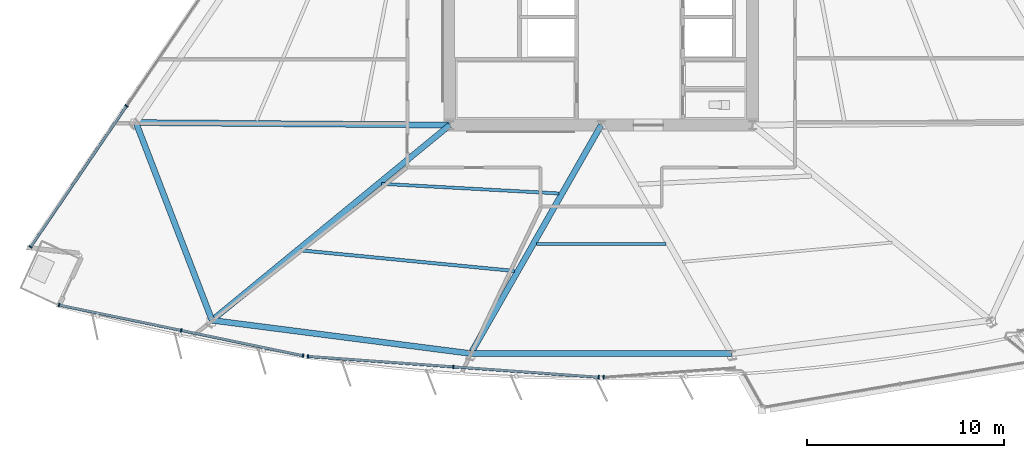
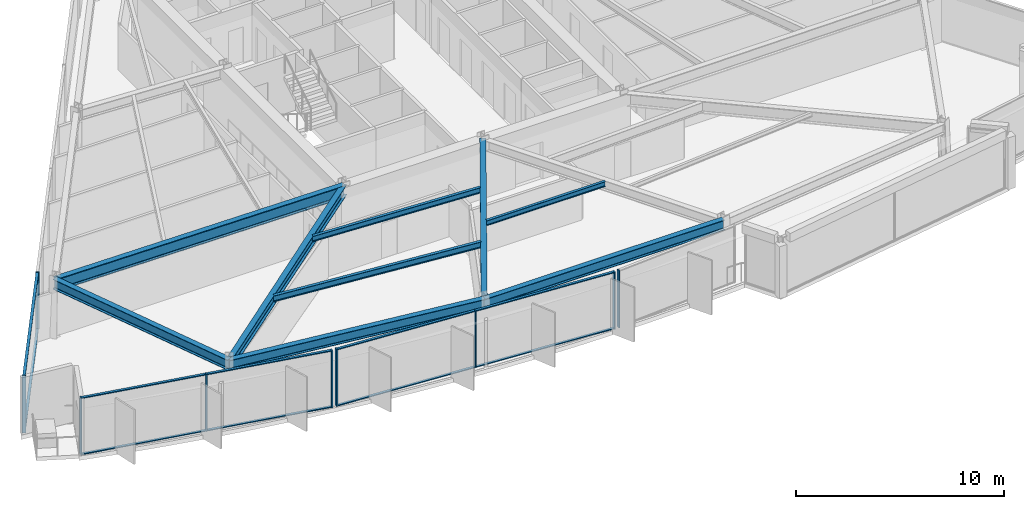
# One storey, part 2 of 16: 19 members, 9 beams, 4 elements without a shape of their own.
"""IFC4 building model written with IfcOpenShell, lengths in metres."""

from ifc_helpers import new_model, si_unit, direction, frame, origin, origin_2d, place, context, subcontext, project, spatial, rectangle, i_section, extrude, material, material_profile, profile_set, type_object, element, aggregate, save


model = new_model("IFC4")

# Units and contexts
model_context = context("Model", 3, precision=1e-05, world=origin(), true_north=direction((0.0, 1.0)))
body_context = subcontext(model_context, "Body", "Model", "MODEL_VIEW")
ifc_project = project(units=[si_unit("LENGTHUNIT", "METRE"), si_unit("AREAUNIT", "SQUARE_METRE"), si_unit("VOLUMEUNIT", "CUBIC_METRE"), si_unit("PLANEANGLEUNIT", "RADIAN"), si_unit("MASSUNIT", "GRAM", prefix="KILO")], contexts=[model_context])

# Site, building, storey
site_placement = place(None, origin())
site = spatial("IfcSite", under=ifc_project, at=site_placement, CompositionType="ELEMENT")
building_placement = place(site_placement, origin())
building = spatial("IfcBuilding", under=site, at=building_placement, Name="Savorim Split Tower", CompositionType="ELEMENT")
storey_placement = place(building_placement, frame((0.0, 0.0, 51.60009765625)))
storey = spatial("IfcBuildingStorey", under=building, at=storey_placement, Name="L13", CompositionType="ELEMENT", Elevation=51.60009765625)

# Beams
ifc_material_1 = material(Name="Steel S355", Category="steel")
ifc_material_profile_1 = material_profile(ifc_material_1, i_section(OverallWidth=0.14990234375, OverallDepth=0.300048828125, WebThickness=0.007080078125, FlangeThickness=0.0107421875, FilletRadius=0.014892578125, at=origin_2d()), Name="IPE 300")
ifc_profile_set_1 = profile_set([ifc_material_profile_1], Name="Steel S355")
beam_type_1 = type_object("IfcBeamType", Name="BM-JST-IPE300", PredefinedType="JOIST", material=ifc_profile_set_1)
beam_1_placement = place(storey_placement, frame((-3.2890625, -15.43994140625, 3.199951171875), z_axis=(1.0, 0.0, 0.0), x_axis=(0.0, 1.0, 0.0)))
element("IfcBeam", 1, at=beam_1_placement, inside=storey, type_object=beam_type_1, Name="L13 Secondary Floor Joist JS-03", PredefinedType="JOIST", context=body_context, shape_type="SweptSolid", body=[
    extrude(i_section(OverallWidth=0.14990234375, OverallDepth=0.300048828125, WebThickness=0.007080078125, FlangeThickness=0.0107421875, FilletRadius=0.014892578125, at=origin_2d()), origin(), (0.0, 0.0, 1.0), 6.578125),
])
ifc_material_profile_2 = material_profile(ifc_material_1, i_section(OverallWidth=0.159912109375, OverallDepth=0.330078125, WebThickness=0.007568359375, FlangeThickness=0.011474609375, FilletRadius=0.01806640625, at=origin_2d()), Name="IPE 330")
ifc_profile_set_2 = profile_set([ifc_material_profile_2], Name="Steel S355")
beam_type_2 = type_object("IfcBeamType", Name="BM-JST-IPE330", PredefinedType="JOIST", material=ifc_profile_set_2)
beam_2_placement = place(storey_placement, frame((-11.1669921875, -12.386474609375, 3.184814453125), z_axis=(0.998531304913, -0.054177791662, 0.0), x_axis=(0.054177791662, 0.998531304913, 0.0)))
element("IfcBeam", 2, at=beam_2_placement, inside=storey, type_object=beam_type_2, Name="L13 Secondary Floor Joist JS-02", PredefinedType="JOIST", context=body_context, shape_type="SweptSolid", body=[
    extrude(i_section(OverallWidth=0.159912109375, OverallDepth=0.330078125, WebThickness=0.007568359375, FlangeThickness=0.011474609375, FilletRadius=0.01806640625, at=origin_2d()), origin(), (0.0, 0.0, 1.0), 9.030517578125),
])
ifc_material_profile_3 = material_profile(ifc_material_1, i_section(OverallWidth=0.169921875, OverallDepth=0.360107421875, WebThickness=0.008056640625, FlangeThickness=0.0126953125, FilletRadius=0.01806640625, at=origin_2d()), Name="IPE 360")
ifc_profile_set_3 = profile_set([ifc_material_profile_3], Name="Steel S355")
beam_type_3 = type_object("IfcBeamType", Name="BM-JST-IPE360", PredefinedType="JOIST", material=ifc_profile_set_3)
beam_3_placement = place(storey_placement, frame((-15.278076171875, -15.76806640625, 3.169921875), z_axis=(0.99536762204, -0.096142066728, 0.0), x_axis=(0.096142066728, 0.99536762204, 0.0)))
element("IfcBeam", 3, at=beam_3_placement, inside=storey, type_object=beam_type_3, Name="L13 Secondary Floor Joist JS-01", PredefinedType="JOIST", context=body_context, shape_type="SweptSolid", body=[
    extrude(i_section(OverallWidth=0.169921875, OverallDepth=0.360107421875, WebThickness=0.008056640625, FlangeThickness=0.0126953125, FilletRadius=0.01806640625, at=origin_2d()), origin(), (0.0, 0.0, 1.0), 10.92431640625),
])
ifc_material_profile_4 = material_profile(ifc_material_1, i_section(OverallWidth=0.300048828125, OverallDepth=0.60009765625, WebThickness=0.015380859375, FlangeThickness=0.030029296875, FilletRadius=0.027099609375, at=origin_2d()), Name="HEB 600")
ifc_profile_set_4 = profile_set([ifc_material_profile_4], Name="Steel S355")
beam_type_4 = type_object("IfcBeamType", Name="BM-PRI-HEB600", PredefinedType="BEAM", material=ifc_profile_set_4)
beam_4_placement = place(storey_placement, frame((-19.789794921875, -19.325927734375, 3.0498046875), z_axis=(0.772880428001, 0.634551687424, 0.0), x_axis=(-0.634551687424, 0.772880428001, 0.0)))
element("IfcBeam", 4, at=beam_4_placement, inside=storey, type_object=beam_type_4, Name="L13 Primary Floor Girder RG-01", PredefinedType="BEAM", context=body_context, shape_type="SweptSolid", body=[
    extrude(i_section(OverallWidth=0.300048828125, OverallDepth=0.60009765625, WebThickness=0.015380859375, FlangeThickness=0.030029296875, FilletRadius=0.027099609375, at=origin_2d()), origin(), (0.0, 0.0, 1.0), 15.642578125),
])
beam_5_placement = place(storey_placement, frame((-6.632568359375, -21.01513671875, 3.0498046875), z_axis=(0.495873547697, 0.868394740135, 0.0), x_axis=(-0.868394740135, 0.495873547697, 0.0)))
element("IfcBeam", 5, at=beam_5_placement, inside=storey, type_object=beam_type_4, Name="L13 Primary Floor Girder RG-02", PredefinedType="BEAM", context=body_context, shape_type="SweptSolid", body=[
    extrude(i_section(OverallWidth=0.300048828125, OverallDepth=0.60009765625, WebThickness=0.015380859375, FlangeThickness=0.030029296875, FilletRadius=0.027099609375, at=origin_2d()), origin(), (0.0, 0.0, 1.0), 13.37548828125),
])
ifc_material_2 = material(Name="Steel S460", Category="steel")
ifc_material_profile_5 = material_profile(ifc_material_2, i_section(OverallWidth=0.303955078125, OverallDepth=0.716064453125, WebThickness=0.02099609375, FlangeThickness=0.0400390625, FilletRadius=0.027099609375, at=origin_2d()), Name="HE 700 M")
ifc_profile_set_5 = profile_set([ifc_material_profile_5], Name="Steel S460")
beam_type_5 = type_object("IfcBeamType", Name="BM-PRI-HEM700", PredefinedType="BEAM", material=ifc_profile_set_5)
beam_6_placement = place(storey_placement, frame((-23.656982421875, -9.271240234375, 2.991943359375), z_axis=(0.999967495314, -0.008062773409, 0.0), x_axis=(0.008062773409, 0.999967495314, 0.0)))
element("IfcBeam", 6, at=beam_6_placement, inside=storey, type_object=beam_type_5, Name="L13 Primary Floor Girder RG-10", PredefinedType="BEAM", context=body_context, shape_type="SweptSolid", body=[
    extrude(i_section(OverallWidth=0.303955078125, OverallDepth=0.716064453125, WebThickness=0.02099609375, FlangeThickness=0.0400390625, FilletRadius=0.027099609375, at=origin_2d()), origin(), (0.0, 0.0, 1.0), 15.95751953125),
])
ifc_material_profile_6 = material_profile(ifc_material_1, i_section(OverallWidth=0.300048828125, OverallDepth=0.590087890625, WebThickness=0.012939453125, FlangeThickness=0.02490234375, FilletRadius=0.027099609375, at=origin_2d()), Name="HEA 600")
ifc_profile_set_6 = profile_set([ifc_material_profile_6], Name="Steel S355")
beam_type_6 = type_object("IfcBeamType", Name="BM-SPN-HEA600", PredefinedType="SPANDREL", material=ifc_profile_set_6)
for number, where, z_axis, x_axis, name in (
    (7, (-19.789794921875, -19.325927734375, 3.054931640625), (0.99185897058, -0.127341204955, 0.0), (0.127341204955, 0.99185897058, 0.0), "L13 Perimeter Spandrel Beam 1"),
    (8, (-6.632568359375, -21.01513671875, 3.054931640625), (1.0, 0.0, 0.0), (0.0, 1.0, 0.0), "L13 Perimeter Spandrel Beam 2"),
):
    element("IfcBeam", number, at=place(storey_placement, frame(where, z_axis=z_axis, x_axis=x_axis)), inside=storey, type_object=beam_type_6, Name=name, PredefinedType="SPANDREL", context=body_context, shape_type="SweptSolid", body=[
        extrude(i_section(OverallWidth=0.300048828125, OverallDepth=0.590087890625, WebThickness=0.012939453125, FlangeThickness=0.02490234375, FilletRadius=0.027099609375, at=origin_2d()), origin(), (0.0, 0.0, 1.0), 13.26513671875),
    ])
beam_7_placement = place(storey_placement, frame((-23.656982421875, -9.271240234375, 3.054931640625), z_axis=(0.358979079309, -0.933345606203, 0.0), x_axis=(0.933345606203, 0.358979079309, 0.0)))
element("IfcBeam", 9, at=beam_7_placement, inside=storey, type_object=beam_type_6, Name="L13 Perimeter Spandrel Beam 10", PredefinedType="SPANDREL", context=body_context, shape_type="SweptSolid", body=[
    extrude(i_section(OverallWidth=0.300048828125, OverallDepth=0.590087890625, WebThickness=0.012939453125, FlangeThickness=0.02490234375, FilletRadius=0.027099609375, at=origin_2d()), origin(), (0.0, 0.0, 1.0), 10.772705078125),
])

# Curtain wall, members
ifc_material_3 = material(Name="Dark Ceramic-Fritted Insulated Glass", Category="glass")
curtain_wall_type = type_object("IfcCurtainWallType", Name="CW-TWR-FRIT-A", PredefinedType="NOTDEFINED", material=ifc_material_3)
curtain_wall_1_placement = place(storey_placement, origin())
curtain_wall_1 = element("IfcCurtainWall", 10, at=curtain_wall_1_placement, inside=storey, type_object=curtain_wall_type, Name="L13 Curtain Wall CW-L13-SF1A", PredefinedType="NOTDEFINED")
ifc_material_4 = material(Name="Charcoal Anodised Aluminium", Category="aluminium")
ifc_material_profile_7 = material_profile(ifc_material_4, rectangle(XDim=0.179931640625, YDim=0.06494140625, at=origin_2d()), Name="ALU-M 180x65")
ifc_profile_set_7 = profile_set([ifc_material_profile_7], Name="Charcoal Anodised Aluminium")
member_type_1 = type_object("IfcMemberType", Name="CWM-180x65", PredefinedType="MULLION", material=ifc_profile_set_7)
member_1_placement = place(storey_placement, frame((-27.564208984375, -18.551025390625, 0.0), z_axis=(0.0, 0.0, 1.0), x_axis=(0.203216172809, 0.979133896415, 0.0)))
member_1 = element("IfcMember", 11, at=member_1_placement, type_object=member_type_1, Name="CW-02 mullion 1", PredefinedType="MULLION", context=body_context, shape_type="SweptSolid", body=[
    extrude(rectangle(XDim=0.179931640625, YDim=0.06494140625, at=origin_2d()), origin(), (0.0, 0.0, 1.0), 3.349853515625),
])
member_2_placement = place(storey_placement, frame((-21.3603515625, -19.838623046875, 0.0), z_axis=(0.0, 0.0, 1.0), x_axis=(0.203216172809, 0.979133896415, 0.0)))
member_2 = element("IfcMember", 12, at=member_2_placement, type_object=member_type_1, Name="CW-02 mullion 2", PredefinedType="MULLION", context=body_context, shape_type="SweptSolid", body=[
    extrude(rectangle(XDim=0.179931640625, YDim=0.06494140625, at=origin_2d()), origin(), (0.0, 0.0, 1.0), 3.349853515625),
])
member_3_placement = place(storey_placement, frame((-15.156494140625, -21.126220703125, 0.0), z_axis=(0.0, 0.0, 1.0), x_axis=(0.203216172809, 0.979133896415, 0.0)))
member_3 = element("IfcMember", 13, at=member_3_placement, type_object=member_type_1, Name="CW-02 mullion 3", PredefinedType="MULLION", context=body_context, shape_type="SweptSolid", body=[
    extrude(rectangle(XDim=0.179931640625, YDim=0.06494140625, at=origin_2d()), origin(), (0.0, 0.0, 1.0), 3.349853515625),
])

curtain_wall_2_placement = place(storey_placement, origin())
curtain_wall_2 = element("IfcCurtainWall", 14, at=curtain_wall_2_placement, inside=storey, type_object=curtain_wall_type, Name="L13 Curtain Wall CW-L13-SF2A", PredefinedType="NOTDEFINED")
member_4_placement = place(storey_placement, frame((-14.910400390625, -21.160400390625, 0.0), z_axis=(0.0, 0.0, 1.0), x_axis=(0.071558708634, 0.99743638956, 0.0)))
member_4 = element("IfcMember", 15, at=member_4_placement, type_object=member_type_1, Name="CW-02 mullion 1", PredefinedType="MULLION", context=body_context, shape_type="SweptSolid", body=[
    extrude(rectangle(XDim=0.179931640625, YDim=0.06494140625, at=origin_2d()), origin(), (0.0, 0.0, 1.0), 3.349853515625),
])
member_5_placement = place(storey_placement, frame((-7.51708984375, -21.69091796875, 0.0), z_axis=(0.0, 0.0, 1.0), x_axis=(0.071558708634, 0.99743638956, 0.0)))
member_5 = element("IfcMember", 16, at=member_5_placement, type_object=member_type_1, Name="CW-02 mullion 2", PredefinedType="MULLION", context=body_context, shape_type="SweptSolid", body=[
    extrude(rectangle(XDim=0.179931640625, YDim=0.06494140625, at=origin_2d()), origin(), (0.0, 0.0, 1.0), 3.349853515625),
])
member_6_placement = place(storey_placement, frame((-0.12353515625, -22.22119140625, 0.0), z_axis=(0.0, 0.0, 1.0), x_axis=(0.071558708634, 0.99743638956, 0.0)))
member_6 = element("IfcMember", 17, at=member_6_placement, type_object=member_type_1, Name="CW-02 mullion 3", PredefinedType="MULLION", context=body_context, shape_type="SweptSolid", body=[
    extrude(rectangle(XDim=0.179931640625, YDim=0.06494140625, at=origin_2d()), origin(), (0.0, 0.0, 1.0), 3.349853515625),
])

# Curtain wall, member
curtain_wall_3_placement = place(storey_placement, origin())
curtain_wall_3 = element("IfcCurtainWall", 18, at=curtain_wall_3_placement, inside=storey, type_object=curtain_wall_type, Name="L13 Curtain Wall CW-L13-SF3A", PredefinedType="NOTDEFINED")
member_7_placement = place(storey_placement, frame((0.12353515625, -22.22119140625, 0.0), z_axis=(0.0, 0.0, 1.0), x_axis=(-0.071558503422, 0.997436404283, 0.0)))
member_7 = element("IfcMember", 19, at=member_7_placement, type_object=member_type_1, Name="CW-02 mullion 1", PredefinedType="MULLION", context=body_context, shape_type="SweptSolid", body=[
    extrude(rectangle(XDim=0.179931640625, YDim=0.06494140625, at=origin_2d()), origin(), (0.0, 0.0, 1.0), 3.349853515625),
])
aggregate(curtain_wall_3, [member_7])

# Curtain wall, members
curtain_wall_4_placement = place(storey_placement, origin())
curtain_wall_4 = element("IfcCurtainWall", 20, at=curtain_wall_4_placement, inside=storey, type_object=curtain_wall_type, Name="L13 Curtain Wall CW-L13-WEST", PredefinedType="NOTDEFINED")
member_8_placement = place(storey_placement, frame((-24.13720703125, -8.42578125, 0.0), z_axis=(0.0, 0.0, 1.0), x_axis=(0.826820172644, -0.562466356423, 0.0)))
member_8 = element("IfcMember", 21, at=member_8_placement, type_object=member_type_1, Name="CW-02 mullion 4", PredefinedType="MULLION", context=body_context, shape_type="SweptSolid", body=[
    extrude(rectangle(XDim=0.179931640625, YDim=0.06494140625, at=origin_2d()), origin(), (0.0, 0.0, 1.0), 3.349853515625),
])
member_9_placement = place(storey_placement, frame((-29.014404296875, -15.59521484375, 0.0), z_axis=(0.0, 0.0, 1.0), x_axis=(0.826820172644, -0.562466356423, 0.0)))
member_9 = element("IfcMember", 22, at=member_9_placement, type_object=member_type_1, Name="CW-02 mullion 5", PredefinedType="MULLION", context=body_context, shape_type="SweptSolid", body=[
    extrude(rectangle(XDim=0.179931640625, YDim=0.06494140625, at=origin_2d()), origin(), (0.0, 0.0, 1.0), 3.349853515625),
])

# Member
ifc_material_profile_8 = material_profile(ifc_material_4, rectangle(XDim=0.139892578125, YDim=0.054931640625, at=origin_2d()), Name="ALU-T 140x55")
ifc_profile_set_8 = profile_set([ifc_material_profile_8], Name="Charcoal Anodised Aluminium")
member_type_2 = type_object("IfcMemberType", Name="CWT-140x55", PredefinedType="USERDEFINED", material=ifc_profile_set_8)
member_10_placement = place(storey_placement, frame((-27.532470703125, -18.5576171875, 0.02734375), z_axis=(0.979132375842, -0.203223499081, 0.0), x_axis=(0.203223499081, 0.979132375842, 0.0)))
member_10 = element("IfcMember", 23, at=member_10_placement, type_object=member_type_2, Name="CW-02 transom 1.1", ObjectType="TRANSOM", PredefinedType="USERDEFINED", context=body_context, shape_type="SweptSolid", body=[
    extrude(rectangle(XDim=0.139892578125, YDim=0.054931640625, at=origin_2d()), origin(), (0.0, 0.0, 1.0), 6.27099609375),
])

member_11_placement = place(storey_placement, frame((-27.532470703125, -18.5576171875, 3.322509765625), z_axis=(0.979132375842, -0.203223499081, 0.0), x_axis=(0.203223499081, 0.979132375842, 0.0)))
member_11 = element("IfcMember", 24, at=member_11_placement, type_object=member_type_2, Name="CW-02 transom 1.2", ObjectType="TRANSOM", PredefinedType="USERDEFINED", context=body_context, shape_type="SweptSolid", body=[
    extrude(rectangle(XDim=0.139892578125, YDim=0.054931640625, at=origin_2d()), origin(), (0.0, 0.0, 1.0), 6.27099609375),
])

member_12_placement = place(storey_placement, frame((-21.32861328125, -19.84521484375, 0.02734375), z_axis=(0.979133983621, -0.203215752634, 0.0), x_axis=(0.203215752634, 0.979133983621, 0.0)))
member_12 = element("IfcMember", 25, at=member_12_placement, type_object=member_type_2, Name="CW-02 transom 2.1", ObjectType="TRANSOM", PredefinedType="USERDEFINED", context=body_context, shape_type="SweptSolid", body=[
    extrude(rectangle(XDim=0.139892578125, YDim=0.054931640625, at=origin_2d()), origin(), (0.0, 0.0, 1.0), 6.271240234375),
])

member_13_placement = place(storey_placement, frame((-21.32861328125, -19.84521484375, 3.322509765625), z_axis=(0.979133983621, -0.203215752634, 0.0), x_axis=(0.203215752634, 0.979133983621, 0.0)))
member_13 = element("IfcMember", 26, at=member_13_placement, type_object=member_type_2, Name="CW-02 transom 2.2", ObjectType="TRANSOM", PredefinedType="USERDEFINED", context=body_context, shape_type="SweptSolid", body=[
    extrude(rectangle(XDim=0.139892578125, YDim=0.054931640625, at=origin_2d()), origin(), (0.0, 0.0, 1.0), 6.271240234375),
])

aggregate(curtain_wall_1, [member_1, member_2, member_3, member_10, member_11, member_12, member_13])

member_14_placement = place(storey_placement, frame((-14.878173828125, -21.162841796875, 0.02734375), z_axis=(0.997437741774, -0.07153985802, 0.0), x_axis=(0.07153985802, 0.997437741774, 0.0)))
member_14 = element("IfcMember", 27, at=member_14_placement, type_object=member_type_2, Name="CW-02 transom 1.1", ObjectType="TRANSOM", PredefinedType="USERDEFINED", context=body_context, shape_type="SweptSolid", body=[
    extrude(rectangle(XDim=0.139892578125, YDim=0.054931640625, at=origin_2d()), origin(), (0.0, 0.0, 1.0), 7.347412109375),
])

member_15_placement = place(storey_placement, frame((-14.878173828125, -21.162841796875, 3.322509765625), z_axis=(0.997437741774, -0.07153985802, 0.0), x_axis=(0.07153985802, 0.997437741774, 0.0)))
member_15 = element("IfcMember", 28, at=member_15_placement, type_object=member_type_2, Name="CW-02 transom 1.2", ObjectType="TRANSOM", PredefinedType="USERDEFINED", context=body_context, shape_type="SweptSolid", body=[
    extrude(rectangle(XDim=0.139892578125, YDim=0.054931640625, at=origin_2d()), origin(), (0.0, 0.0, 1.0), 7.347412109375),
])

member_16_placement = place(storey_placement, frame((-7.484619140625, -21.693115234375, 0.02734375), z_axis=(0.997435370197, -0.071572915831, 0.0), x_axis=(0.071572915831, 0.997435370197, 0.0)))
member_16 = element("IfcMember", 29, at=member_16_placement, type_object=member_type_2, Name="CW-02 transom 2.1", ObjectType="TRANSOM", PredefinedType="USERDEFINED", context=body_context, shape_type="SweptSolid", body=[
    extrude(rectangle(XDim=0.139892578125, YDim=0.054931640625, at=origin_2d()), origin(), (0.0, 0.0, 1.0), 7.347412109375),
])

member_17_placement = place(storey_placement, frame((-7.484619140625, -21.693115234375, 3.322509765625), z_axis=(0.997435370197, -0.071572915831, 0.0), x_axis=(0.071572915831, 0.997435370197, 0.0)))
member_17 = element("IfcMember", 30, at=member_17_placement, type_object=member_type_2, Name="CW-02 transom 2.2", ObjectType="TRANSOM", PredefinedType="USERDEFINED", context=body_context, shape_type="SweptSolid", body=[
    extrude(rectangle(XDim=0.139892578125, YDim=0.054931640625, at=origin_2d()), origin(), (0.0, 0.0, 1.0), 7.347412109375),
])

aggregate(curtain_wall_2, [member_4, member_5, member_6, member_14, member_15, member_16, member_17])

member_18_placement = place(storey_placement, frame((-24.155517578125, -8.45263671875, 0.02734375), z_axis=(-0.562459768651, -0.826824654113, 0.0), x_axis=(0.826824654113, -0.562459768651, 0.0)))
member_18 = element("IfcMember", 31, at=member_18_placement, type_object=member_type_2, Name="CW-02 transom 4.1", ObjectType="TRANSOM", PredefinedType="USERDEFINED", context=body_context, shape_type="SweptSolid", body=[
    extrude(rectangle(XDim=0.139892578125, YDim=0.054931640625, at=origin_2d()), origin(), (0.0, 0.0, 1.0), 8.606201171875),
])

member_19_placement = place(storey_placement, frame((-24.155517578125, -8.45263671875, 3.322509765625), z_axis=(-0.562459768651, -0.826824654113, 0.0), x_axis=(0.826824654113, -0.562459768651, 0.0)))
member_19 = element("IfcMember", 32, at=member_19_placement, type_object=member_type_2, Name="CW-02 transom 4.2", ObjectType="TRANSOM", PredefinedType="USERDEFINED", context=body_context, shape_type="SweptSolid", body=[
    extrude(rectangle(XDim=0.139892578125, YDim=0.054931640625, at=origin_2d()), origin(), (0.0, 0.0, 1.0), 8.606201171875),
])

aggregate(curtain_wall_4, [member_8, member_9, member_18, member_19])

save(model, "model.ifc")
